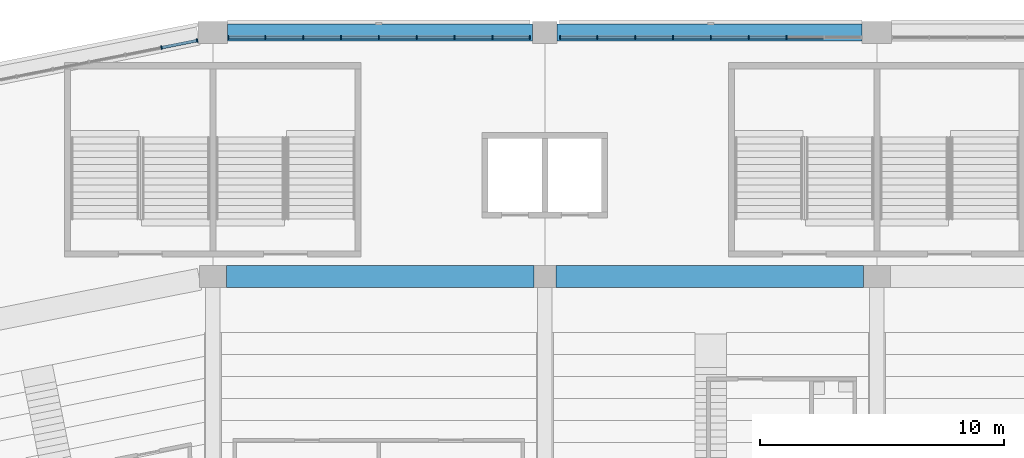
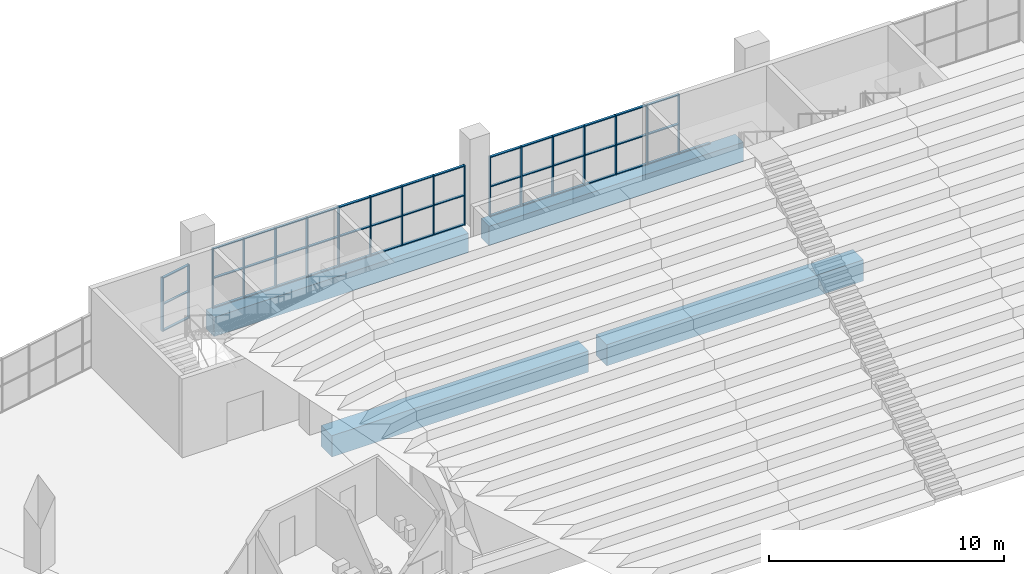
# One storey, part 50 of 249: 64 members, 4 beams, 3 elements without a shape of their own.
"""IFC4 building model written with IfcOpenShell, lengths in metres."""

from ifc_helpers import new_model, si_unit, direction, frame, origin, origin_2d, place, context, subcontext, project, spatial, rectangle, extrude, material, material_profile, profile_set, type_object, element, aggregate, save


model = new_model("IFC4")

# Units and contexts
model_context = context("Model", 3, precision=1e-05, world=origin(), true_north=direction((0.0, 1.0)))
body_context = subcontext(model_context, "Body", "Model", "MODEL_VIEW")
ifc_project = project(units=[si_unit("LENGTHUNIT", "METRE"), si_unit("AREAUNIT", "SQUARE_METRE"), si_unit("VOLUMEUNIT", "CUBIC_METRE"), si_unit("PLANEANGLEUNIT", "RADIAN"), si_unit("MASSUNIT", "GRAM", prefix="KILO")], contexts=[model_context])

# Site, building, storey
site_placement = place(None, origin())
site = spatial("IfcSite", under=ifc_project, at=site_placement, CompositionType="ELEMENT")
building_placement = place(site_placement, origin())
building = spatial("IfcBuilding", under=site, at=building_placement, Name="Ogive Plaza Stadium", CompositionType="ELEMENT")
storey_placement = place(building_placement, frame((0.0, 0.0, 13.5)))
storey = spatial("IfcBuildingStorey", under=building, at=storey_placement, Name="L03", CompositionType="ELEMENT", Elevation=13.5)

# Curtain wall, members
ifc_material_1 = material(Name="Bronze-anodised aluminium with laminated glass", Category="aluminium")
curtain_wall_type = type_object("IfcCurtainWallType", Name="Lancet curtain wall", PredefinedType="NOTDEFINED", material=ifc_material_1)
curtain_wall_1_placement = place(storey_placement, origin())
curtain_wall_1 = element("IfcCurtainWall", 1, at=curtain_wall_1_placement, inside=storey, type_object=curtain_wall_type, Name="CURTAIN WALL B31 L03", PredefinedType="NOTDEFINED")
ifc_material_2 = material(Name="Bronze-anodised aluminium", Category="aluminium")
ifc_material_profile_1 = material_profile(ifc_material_2, rectangle(XDim=0.14990234375, YDim=0.050048828125, at=origin_2d()), Name="AL 150x50")
ifc_profile_set_1 = profile_set([ifc_material_profile_1], Name="Bronze-anodised aluminium")
member_type_1 = type_object("IfcMemberType", Name="Curtain wall mullion 50x150", PredefinedType="MULLION", material=ifc_profile_set_1)
member_1_placement = place(storey_placement, frame((-36.104248046875, 101.87744140625, 0.0), z_axis=(0.0, 0.0, 1.0), x_axis=(-0.195090322016, 0.980785280403, 0.0)))
member_1 = element("IfcMember", 2, at=member_1_placement, type_object=member_type_1, Name="CW-B31-L03 mullion 12", PredefinedType="MULLION", context=body_context, shape_type="SweptSolid", body=[
    extrude(rectangle(XDim=0.14990234375, YDim=0.050048828125, at=origin_2d()), origin(), (0.0, 0.0, 1.0), 2.7900390625),
])
member_2_placement = place(storey_placement, frame((-34.64404296875, 102.16796875, 0.0), z_axis=(0.0, 0.0, 1.0), x_axis=(-0.195090322016, 0.980785280403, 0.0)))
member_2 = element("IfcMember", 3, at=member_2_placement, type_object=member_type_1, Name="CW-B31-L03 mullion 13", PredefinedType="MULLION", context=body_context, shape_type="SweptSolid", body=[
    extrude(rectangle(XDim=0.14990234375, YDim=0.050048828125, at=origin_2d()), origin(), (0.0, 0.0, 1.0), 2.7900390625),
])

curtain_wall_2_placement = place(storey_placement, origin())
curtain_wall_2 = element("IfcCurtainWall", 4, at=curtain_wall_2_placement, inside=storey, type_object=curtain_wall_type, Name="CURTAIN WALL B32 L03", PredefinedType="NOTDEFINED")
member_3_placement = place(storey_placement, frame((-33.375, 102.300048828125, 0.0), z_axis=(0.0, 0.0, 1.0), x_axis=(0.0, 1.0, 0.0)))
member_3 = element("IfcMember", 5, at=member_3_placement, type_object=member_type_1, Name="CW-B32-L03 mullion 1", PredefinedType="MULLION", context=body_context, shape_type="SweptSolid", body=[
    extrude(rectangle(XDim=0.14990234375, YDim=0.050048828125, at=origin_2d()), origin(), (0.0, 0.0, 1.0), 3.090087890625),
])
member_4_placement = place(storey_placement, frame((-31.85009765625, 102.300048828125, 0.0), z_axis=(0.0, 0.0, 1.0), x_axis=(0.0, 1.0, 0.0)))
member_4 = element("IfcMember", 6, at=member_4_placement, type_object=member_type_1, Name="CW-B32-L03 mullion 2", PredefinedType="MULLION", context=body_context, shape_type="SweptSolid", body=[
    extrude(rectangle(XDim=0.14990234375, YDim=0.050048828125, at=origin_2d()), origin(), (0.0, 0.0, 1.0), 3.090087890625),
])
member_5_placement = place(storey_placement, frame((-30.300048828125, 102.300048828125, 0.0), z_axis=(0.0, 0.0, 1.0), x_axis=(0.0, 1.0, 0.0)))
member_5 = element("IfcMember", 7, at=member_5_placement, type_object=member_type_1, Name="CW-B32-L03 mullion 3", PredefinedType="MULLION", context=body_context, shape_type="SweptSolid", body=[
    extrude(rectangle(XDim=0.14990234375, YDim=0.050048828125, at=origin_2d()), origin(), (0.0, 0.0, 1.0), 3.090087890625),
])
member_6_placement = place(storey_placement, frame((-28.75, 102.300048828125, 0.0), z_axis=(0.0, 0.0, 1.0), x_axis=(0.0, 1.0, 0.0)))
member_6 = element("IfcMember", 8, at=member_6_placement, type_object=member_type_1, Name="CW-B32-L03 mullion 4", PredefinedType="MULLION", context=body_context, shape_type="SweptSolid", body=[
    extrude(rectangle(XDim=0.14990234375, YDim=0.050048828125, at=origin_2d()), origin(), (0.0, 0.0, 1.0), 3.090087890625),
])
member_7_placement = place(storey_placement, frame((-27.199951171875, 102.300048828125, 0.0), z_axis=(0.0, 0.0, 1.0), x_axis=(0.0, 1.0, 0.0)))
member_7 = element("IfcMember", 9, at=member_7_placement, type_object=member_type_1, Name="CW-B32-L03 mullion 5", PredefinedType="MULLION", context=body_context, shape_type="SweptSolid", body=[
    extrude(rectangle(XDim=0.14990234375, YDim=0.050048828125, at=origin_2d()), origin(), (0.0, 0.0, 1.0), 3.090087890625),
])
member_8_placement = place(storey_placement, frame((-25.64990234375, 102.300048828125, 0.0), z_axis=(0.0, 0.0, 1.0), x_axis=(0.0, 1.0, 0.0)))
member_8 = element("IfcMember", 10, at=member_8_placement, type_object=member_type_1, Name="CW-B32-L03 mullion 6", PredefinedType="MULLION", context=body_context, shape_type="SweptSolid", body=[
    extrude(rectangle(XDim=0.14990234375, YDim=0.050048828125, at=origin_2d()), origin(), (0.0, 0.0, 1.0), 3.090087890625),
])
member_9_placement = place(storey_placement, frame((-24.10009765625, 102.300048828125, 0.0), z_axis=(0.0, 0.0, 1.0), x_axis=(0.0, 1.0, 0.0)))
member_9 = element("IfcMember", 11, at=member_9_placement, type_object=member_type_1, Name="CW-B32-L03 mullion 7", PredefinedType="MULLION", context=body_context, shape_type="SweptSolid", body=[
    extrude(rectangle(XDim=0.14990234375, YDim=0.050048828125, at=origin_2d()), origin(), (0.0, 0.0, 1.0), 3.090087890625),
])
member_10_placement = place(storey_placement, frame((-22.550048828125, 102.300048828125, 0.0), z_axis=(0.0, 0.0, 1.0), x_axis=(0.0, 1.0, 0.0)))
member_10 = element("IfcMember", 12, at=member_10_placement, type_object=member_type_1, Name="CW-B32-L03 mullion 8", PredefinedType="MULLION", context=body_context, shape_type="SweptSolid", body=[
    extrude(rectangle(XDim=0.14990234375, YDim=0.050048828125, at=origin_2d()), origin(), (0.0, 0.0, 1.0), 3.090087890625),
])
member_11_placement = place(storey_placement, frame((-21.02490234375, 102.300048828125, 0.0), z_axis=(0.0, 0.0, 1.0), x_axis=(0.0, 1.0, 0.0)))
member_11 = element("IfcMember", 13, at=member_11_placement, type_object=member_type_1, Name="CW-B32-L03 mullion 9", PredefinedType="MULLION", context=body_context, shape_type="SweptSolid", body=[
    extrude(rectangle(XDim=0.14990234375, YDim=0.050048828125, at=origin_2d()), origin(), (0.0, 0.0, 1.0), 3.090087890625),
])

curtain_wall_3_placement = place(storey_placement, origin())
curtain_wall_3 = element("IfcCurtainWall", 14, at=curtain_wall_3_placement, inside=storey, type_object=curtain_wall_type, Name="CURTAIN WALL B33 L03", PredefinedType="NOTDEFINED")
member_12_placement = place(storey_placement, frame((-19.77490234375, 102.300048828125, 0.0), z_axis=(0.0, 0.0, 1.0), x_axis=(0.0, 1.0, 0.0)))
member_12 = element("IfcMember", 15, at=member_12_placement, type_object=member_type_1, Name="CW-B33-L03 mullion 1", PredefinedType="MULLION", context=body_context, shape_type="SweptSolid", body=[
    extrude(rectangle(XDim=0.14990234375, YDim=0.050048828125, at=origin_2d()), origin(), (0.0, 0.0, 1.0), 3.090087890625),
])
member_13_placement = place(storey_placement, frame((-18.25, 102.300048828125, 0.0), z_axis=(0.0, 0.0, 1.0), x_axis=(0.0, 1.0, 0.0)))
member_13 = element("IfcMember", 16, at=member_13_placement, type_object=member_type_1, Name="CW-B33-L03 mullion 2", PredefinedType="MULLION", context=body_context, shape_type="SweptSolid", body=[
    extrude(rectangle(XDim=0.14990234375, YDim=0.050048828125, at=origin_2d()), origin(), (0.0, 0.0, 1.0), 3.090087890625),
])
member_14_placement = place(storey_placement, frame((-16.699951171875, 102.300048828125, 0.0), z_axis=(0.0, 0.0, 1.0), x_axis=(0.0, 1.0, 0.0)))
member_14 = element("IfcMember", 17, at=member_14_placement, type_object=member_type_1, Name="CW-B33-L03 mullion 3", PredefinedType="MULLION", context=body_context, shape_type="SweptSolid", body=[
    extrude(rectangle(XDim=0.14990234375, YDim=0.050048828125, at=origin_2d()), origin(), (0.0, 0.0, 1.0), 3.090087890625),
])
member_15_placement = place(storey_placement, frame((-15.14990234375, 102.300048828125, 0.0), z_axis=(0.0, 0.0, 1.0), x_axis=(0.0, 1.0, 0.0)))
member_15 = element("IfcMember", 18, at=member_15_placement, type_object=member_type_1, Name="CW-B33-L03 mullion 4", PredefinedType="MULLION", context=body_context, shape_type="SweptSolid", body=[
    extrude(rectangle(XDim=0.14990234375, YDim=0.050048828125, at=origin_2d()), origin(), (0.0, 0.0, 1.0), 3.090087890625),
])
member_16_placement = place(storey_placement, frame((-13.60009765625, 102.300048828125, 0.0), z_axis=(0.0, 0.0, 1.0), x_axis=(0.0, 1.0, 0.0)))
member_16 = element("IfcMember", 19, at=member_16_placement, type_object=member_type_1, Name="CW-B33-L03 mullion 5", PredefinedType="MULLION", context=body_context, shape_type="SweptSolid", body=[
    extrude(rectangle(XDim=0.14990234375, YDim=0.050048828125, at=origin_2d()), origin(), (0.0, 0.0, 1.0), 3.090087890625),
])
member_17_placement = place(storey_placement, frame((-12.050048828125, 102.300048828125, 0.0), z_axis=(0.0, 0.0, 1.0), x_axis=(0.0, 1.0, 0.0)))
member_17 = element("IfcMember", 20, at=member_17_placement, type_object=member_type_1, Name="CW-B33-L03 mullion 6", PredefinedType="MULLION", context=body_context, shape_type="SweptSolid", body=[
    extrude(rectangle(XDim=0.14990234375, YDim=0.050048828125, at=origin_2d()), origin(), (0.0, 0.0, 1.0), 3.090087890625),
])
member_18_placement = place(storey_placement, frame((-10.5, 102.300048828125, 0.0), z_axis=(0.0, 0.0, 1.0), x_axis=(0.0, 1.0, 0.0)))
member_18 = element("IfcMember", 21, at=member_18_placement, type_object=member_type_1, Name="CW-B33-L03 mullion 7", PredefinedType="MULLION", context=body_context, shape_type="SweptSolid", body=[
    extrude(rectangle(XDim=0.14990234375, YDim=0.050048828125, at=origin_2d()), origin(), (0.0, 0.0, 1.0), 3.090087890625),
])

# Member
ifc_material_3 = material(Name="Bronze-anodised aluminium", Category="aluminium")
ifc_material_profile_2 = material_profile(ifc_material_3, rectangle(XDim=0.1201171875, YDim=0.050048828125, at=origin_2d()), Name="AL 120x50")
ifc_profile_set_2 = profile_set([ifc_material_profile_2], Name="Bronze-anodised aluminium")
member_type_2 = type_object("IfcMemberType", Name="Curtain wall transom 50x120", PredefinedType="USERDEFINED", material=ifc_profile_set_2)
member_19_placement = place(storey_placement, frame((-36.079833984375, 101.88232421875, 0.02490234375), z_axis=(0.980782436465, 0.195104618913, 0.0), x_axis=(-0.195104618913, 0.980782436465, 0.0)))
member_19 = element("IfcMember", 22, at=member_19_placement, type_object=member_type_2, Name="CW-B31-L03 transom 12.1", ObjectType="TRANSOM", PredefinedType="USERDEFINED", context=body_context, shape_type="SweptSolid", body=[
    extrude(rectangle(XDim=0.1201171875, YDim=0.050048828125, at=origin_2d()), origin(), (0.0, 0.0, 1.0), 1.43896484375),
])

member_20_placement = place(storey_placement, frame((-36.079833984375, 101.88232421875, 1.39501953125), z_axis=(0.980782436465, 0.195104618913, 0.0), x_axis=(-0.195104618913, 0.980782436465, 0.0)))
member_20 = element("IfcMember", 23, at=member_20_placement, type_object=member_type_2, Name="CW-B31-L03 transom 12.2", ObjectType="TRANSOM", PredefinedType="USERDEFINED", context=body_context, shape_type="SweptSolid", body=[
    extrude(rectangle(XDim=0.1201171875, YDim=0.050048828125, at=origin_2d()), origin(), (0.0, 0.0, 1.0), 1.43896484375),
])

member_21_placement = place(storey_placement, frame((-36.079833984375, 101.88232421875, 2.764892578125), z_axis=(0.980782436465, 0.195104618913, 0.0), x_axis=(-0.195104618913, 0.980782436465, 0.0)))
member_21 = element("IfcMember", 24, at=member_21_placement, type_object=member_type_2, Name="CW-B31-L03 transom 12.3", ObjectType="TRANSOM", PredefinedType="USERDEFINED", context=body_context, shape_type="SweptSolid", body=[
    extrude(rectangle(XDim=0.1201171875, YDim=0.050048828125, at=origin_2d()), origin(), (0.0, 0.0, 1.0), 1.43896484375),
])

aggregate(curtain_wall_1, [member_1, member_2, member_19, member_20, member_21])

member_22_placement = place(storey_placement, frame((-33.35009765625, 102.300048828125, 0.02490234375), z_axis=(1.0, 0.0, 0.0), x_axis=(0.0, 1.0, 0.0)))
member_22 = element("IfcMember", 25, at=member_22_placement, type_object=member_type_2, Name="CW-B32-L03 transom 1.1", ObjectType="TRANSOM", PredefinedType="USERDEFINED", context=body_context, shape_type="SweptSolid", body=[
    extrude(rectangle(XDim=0.1201171875, YDim=0.050048828125, at=origin_2d()), origin(), (0.0, 0.0, 1.0), 1.47509765625),
])

member_23_placement = place(storey_placement, frame((-33.35009765625, 102.300048828125, 1.544921875), z_axis=(1.0, 0.0, 0.0), x_axis=(0.0, 1.0, 0.0)))
member_23 = element("IfcMember", 26, at=member_23_placement, type_object=member_type_2, Name="CW-B32-L03 transom 1.2", ObjectType="TRANSOM", PredefinedType="USERDEFINED", context=body_context, shape_type="SweptSolid", body=[
    extrude(rectangle(XDim=0.1201171875, YDim=0.050048828125, at=origin_2d()), origin(), (0.0, 0.0, 1.0), 1.47509765625),
])

member_24_placement = place(storey_placement, frame((-33.35009765625, 102.300048828125, 3.06494140625), z_axis=(1.0, 0.0, 0.0), x_axis=(0.0, 1.0, 0.0)))
member_24 = element("IfcMember", 27, at=member_24_placement, type_object=member_type_2, Name="CW-B32-L03 transom 1.3", ObjectType="TRANSOM", PredefinedType="USERDEFINED", context=body_context, shape_type="SweptSolid", body=[
    extrude(rectangle(XDim=0.1201171875, YDim=0.050048828125, at=origin_2d()), origin(), (0.0, 0.0, 1.0), 1.47509765625),
])

member_25_placement = place(storey_placement, frame((-31.824951171875, 102.300048828125, 0.02490234375), z_axis=(1.0, 0.0, 0.0), x_axis=(0.0, 1.0, 0.0)))
member_25 = element("IfcMember", 28, at=member_25_placement, type_object=member_type_2, Name="CW-B32-L03 transom 2.1", ObjectType="TRANSOM", PredefinedType="USERDEFINED", context=body_context, shape_type="SweptSolid", body=[
    extrude(rectangle(XDim=0.1201171875, YDim=0.050048828125, at=origin_2d()), origin(), (0.0, 0.0, 1.0), 1.5),
])

member_26_placement = place(storey_placement, frame((-31.824951171875, 102.300048828125, 1.544921875), z_axis=(1.0, 0.0, 0.0), x_axis=(0.0, 1.0, 0.0)))
member_26 = element("IfcMember", 29, at=member_26_placement, type_object=member_type_2, Name="CW-B32-L03 transom 2.2", ObjectType="TRANSOM", PredefinedType="USERDEFINED", context=body_context, shape_type="SweptSolid", body=[
    extrude(rectangle(XDim=0.1201171875, YDim=0.050048828125, at=origin_2d()), origin(), (0.0, 0.0, 1.0), 1.5),
])

member_27_placement = place(storey_placement, frame((-31.824951171875, 102.300048828125, 3.06494140625), z_axis=(1.0, 0.0, 0.0), x_axis=(0.0, 1.0, 0.0)))
member_27 = element("IfcMember", 30, at=member_27_placement, type_object=member_type_2, Name="CW-B32-L03 transom 2.3", ObjectType="TRANSOM", PredefinedType="USERDEFINED", context=body_context, shape_type="SweptSolid", body=[
    extrude(rectangle(XDim=0.1201171875, YDim=0.050048828125, at=origin_2d()), origin(), (0.0, 0.0, 1.0), 1.5),
])

member_28_placement = place(storey_placement, frame((-30.27490234375, 102.300048828125, 0.02490234375), z_axis=(1.0, 0.0, 0.0), x_axis=(0.0, 1.0, 0.0)))
member_28 = element("IfcMember", 31, at=member_28_placement, type_object=member_type_2, Name="CW-B32-L03 transom 3.1", ObjectType="TRANSOM", PredefinedType="USERDEFINED", context=body_context, shape_type="SweptSolid", body=[
    extrude(rectangle(XDim=0.1201171875, YDim=0.050048828125, at=origin_2d()), origin(), (0.0, 0.0, 1.0), 1.5),
])

member_29_placement = place(storey_placement, frame((-30.27490234375, 102.300048828125, 1.544921875), z_axis=(1.0, 0.0, 0.0), x_axis=(0.0, 1.0, 0.0)))
member_29 = element("IfcMember", 32, at=member_29_placement, type_object=member_type_2, Name="CW-B32-L03 transom 3.2", ObjectType="TRANSOM", PredefinedType="USERDEFINED", context=body_context, shape_type="SweptSolid", body=[
    extrude(rectangle(XDim=0.1201171875, YDim=0.050048828125, at=origin_2d()), origin(), (0.0, 0.0, 1.0), 1.5),
])

member_30_placement = place(storey_placement, frame((-30.27490234375, 102.300048828125, 3.06494140625), z_axis=(1.0, 0.0, 0.0), x_axis=(0.0, 1.0, 0.0)))
member_30 = element("IfcMember", 33, at=member_30_placement, type_object=member_type_2, Name="CW-B32-L03 transom 3.3", ObjectType="TRANSOM", PredefinedType="USERDEFINED", context=body_context, shape_type="SweptSolid", body=[
    extrude(rectangle(XDim=0.1201171875, YDim=0.050048828125, at=origin_2d()), origin(), (0.0, 0.0, 1.0), 1.5),
])

member_31_placement = place(storey_placement, frame((-28.72509765625, 102.300048828125, 0.02490234375), z_axis=(1.0, 0.0, 0.0), x_axis=(0.0, 1.0, 0.0)))
member_31 = element("IfcMember", 34, at=member_31_placement, type_object=member_type_2, Name="CW-B32-L03 transom 4.1", ObjectType="TRANSOM", PredefinedType="USERDEFINED", context=body_context, shape_type="SweptSolid", body=[
    extrude(rectangle(XDim=0.1201171875, YDim=0.050048828125, at=origin_2d()), origin(), (0.0, 0.0, 1.0), 1.5),
])

member_32_placement = place(storey_placement, frame((-28.72509765625, 102.300048828125, 1.544921875), z_axis=(1.0, 0.0, 0.0), x_axis=(0.0, 1.0, 0.0)))
member_32 = element("IfcMember", 35, at=member_32_placement, type_object=member_type_2, Name="CW-B32-L03 transom 4.2", ObjectType="TRANSOM", PredefinedType="USERDEFINED", context=body_context, shape_type="SweptSolid", body=[
    extrude(rectangle(XDim=0.1201171875, YDim=0.050048828125, at=origin_2d()), origin(), (0.0, 0.0, 1.0), 1.5),
])

member_33_placement = place(storey_placement, frame((-28.72509765625, 102.300048828125, 3.06494140625), z_axis=(1.0, 0.0, 0.0), x_axis=(0.0, 1.0, 0.0)))
member_33 = element("IfcMember", 36, at=member_33_placement, type_object=member_type_2, Name="CW-B32-L03 transom 4.3", ObjectType="TRANSOM", PredefinedType="USERDEFINED", context=body_context, shape_type="SweptSolid", body=[
    extrude(rectangle(XDim=0.1201171875, YDim=0.050048828125, at=origin_2d()), origin(), (0.0, 0.0, 1.0), 1.5),
])

member_34_placement = place(storey_placement, frame((-27.175048828125, 102.300048828125, 0.02490234375), z_axis=(1.0, 0.0, 0.0), x_axis=(0.0, 1.0, 0.0)))
member_34 = element("IfcMember", 37, at=member_34_placement, type_object=member_type_2, Name="CW-B32-L03 transom 5.1", ObjectType="TRANSOM", PredefinedType="USERDEFINED", context=body_context, shape_type="SweptSolid", body=[
    extrude(rectangle(XDim=0.1201171875, YDim=0.050048828125, at=origin_2d()), origin(), (0.0, 0.0, 1.0), 1.5),
])

member_35_placement = place(storey_placement, frame((-27.175048828125, 102.300048828125, 1.544921875), z_axis=(1.0, 0.0, 0.0), x_axis=(0.0, 1.0, 0.0)))
member_35 = element("IfcMember", 38, at=member_35_placement, type_object=member_type_2, Name="CW-B32-L03 transom 5.2", ObjectType="TRANSOM", PredefinedType="USERDEFINED", context=body_context, shape_type="SweptSolid", body=[
    extrude(rectangle(XDim=0.1201171875, YDim=0.050048828125, at=origin_2d()), origin(), (0.0, 0.0, 1.0), 1.5),
])

member_36_placement = place(storey_placement, frame((-27.175048828125, 102.300048828125, 3.06494140625), z_axis=(1.0, 0.0, 0.0), x_axis=(0.0, 1.0, 0.0)))
member_36 = element("IfcMember", 39, at=member_36_placement, type_object=member_type_2, Name="CW-B32-L03 transom 5.3", ObjectType="TRANSOM", PredefinedType="USERDEFINED", context=body_context, shape_type="SweptSolid", body=[
    extrude(rectangle(XDim=0.1201171875, YDim=0.050048828125, at=origin_2d()), origin(), (0.0, 0.0, 1.0), 1.5),
])

member_37_placement = place(storey_placement, frame((-25.625, 102.300048828125, 0.02490234375), z_axis=(1.0, 0.0, 0.0), x_axis=(0.0, 1.0, 0.0)))
member_37 = element("IfcMember", 40, at=member_37_placement, type_object=member_type_2, Name="CW-B32-L03 transom 6.1", ObjectType="TRANSOM", PredefinedType="USERDEFINED", context=body_context, shape_type="SweptSolid", body=[
    extrude(rectangle(XDim=0.1201171875, YDim=0.050048828125, at=origin_2d()), origin(), (0.0, 0.0, 1.0), 1.5),
])

member_38_placement = place(storey_placement, frame((-25.625, 102.300048828125, 1.544921875), z_axis=(1.0, 0.0, 0.0), x_axis=(0.0, 1.0, 0.0)))
member_38 = element("IfcMember", 41, at=member_38_placement, type_object=member_type_2, Name="CW-B32-L03 transom 6.2", ObjectType="TRANSOM", PredefinedType="USERDEFINED", context=body_context, shape_type="SweptSolid", body=[
    extrude(rectangle(XDim=0.1201171875, YDim=0.050048828125, at=origin_2d()), origin(), (0.0, 0.0, 1.0), 1.5),
])

member_39_placement = place(storey_placement, frame((-25.625, 102.300048828125, 3.06494140625), z_axis=(1.0, 0.0, 0.0), x_axis=(0.0, 1.0, 0.0)))
member_39 = element("IfcMember", 42, at=member_39_placement, type_object=member_type_2, Name="CW-B32-L03 transom 6.3", ObjectType="TRANSOM", PredefinedType="USERDEFINED", context=body_context, shape_type="SweptSolid", body=[
    extrude(rectangle(XDim=0.1201171875, YDim=0.050048828125, at=origin_2d()), origin(), (0.0, 0.0, 1.0), 1.5),
])

member_40_placement = place(storey_placement, frame((-24.074951171875, 102.300048828125, 0.02490234375), z_axis=(1.0, 0.0, 0.0), x_axis=(0.0, 1.0, 0.0)))
member_40 = element("IfcMember", 43, at=member_40_placement, type_object=member_type_2, Name="CW-B32-L03 transom 7.1", ObjectType="TRANSOM", PredefinedType="USERDEFINED", context=body_context, shape_type="SweptSolid", body=[
    extrude(rectangle(XDim=0.1201171875, YDim=0.050048828125, at=origin_2d()), origin(), (0.0, 0.0, 1.0), 1.5),
])

member_41_placement = place(storey_placement, frame((-24.074951171875, 102.300048828125, 1.544921875), z_axis=(1.0, 0.0, 0.0), x_axis=(0.0, 1.0, 0.0)))
member_41 = element("IfcMember", 44, at=member_41_placement, type_object=member_type_2, Name="CW-B32-L03 transom 7.2", ObjectType="TRANSOM", PredefinedType="USERDEFINED", context=body_context, shape_type="SweptSolid", body=[
    extrude(rectangle(XDim=0.1201171875, YDim=0.050048828125, at=origin_2d()), origin(), (0.0, 0.0, 1.0), 1.5),
])

member_42_placement = place(storey_placement, frame((-24.074951171875, 102.300048828125, 3.06494140625), z_axis=(1.0, 0.0, 0.0), x_axis=(0.0, 1.0, 0.0)))
member_42 = element("IfcMember", 45, at=member_42_placement, type_object=member_type_2, Name="CW-B32-L03 transom 7.3", ObjectType="TRANSOM", PredefinedType="USERDEFINED", context=body_context, shape_type="SweptSolid", body=[
    extrude(rectangle(XDim=0.1201171875, YDim=0.050048828125, at=origin_2d()), origin(), (0.0, 0.0, 1.0), 1.5),
])

member_43_placement = place(storey_placement, frame((-22.52490234375, 102.300048828125, 0.02490234375), z_axis=(1.0, 0.0, 0.0), x_axis=(0.0, 1.0, 0.0)))
member_43 = element("IfcMember", 46, at=member_43_placement, type_object=member_type_2, Name="CW-B32-L03 transom 8.1", ObjectType="TRANSOM", PredefinedType="USERDEFINED", context=body_context, shape_type="SweptSolid", body=[
    extrude(rectangle(XDim=0.1201171875, YDim=0.050048828125, at=origin_2d()), origin(), (0.0, 0.0, 1.0), 1.474853515625),
])

member_44_placement = place(storey_placement, frame((-22.52490234375, 102.300048828125, 1.544921875), z_axis=(1.0, 0.0, 0.0), x_axis=(0.0, 1.0, 0.0)))
member_44 = element("IfcMember", 47, at=member_44_placement, type_object=member_type_2, Name="CW-B32-L03 transom 8.2", ObjectType="TRANSOM", PredefinedType="USERDEFINED", context=body_context, shape_type="SweptSolid", body=[
    extrude(rectangle(XDim=0.1201171875, YDim=0.050048828125, at=origin_2d()), origin(), (0.0, 0.0, 1.0), 1.474853515625),
])

member_45_placement = place(storey_placement, frame((-22.52490234375, 102.300048828125, 3.06494140625), z_axis=(1.0, 0.0, 0.0), x_axis=(0.0, 1.0, 0.0)))
member_45 = element("IfcMember", 48, at=member_45_placement, type_object=member_type_2, Name="CW-B32-L03 transom 8.3", ObjectType="TRANSOM", PredefinedType="USERDEFINED", context=body_context, shape_type="SweptSolid", body=[
    extrude(rectangle(XDim=0.1201171875, YDim=0.050048828125, at=origin_2d()), origin(), (0.0, 0.0, 1.0), 1.474853515625),
])

aggregate(curtain_wall_2, [member_3, member_4, member_5, member_6, member_7, member_8, member_9, member_10, member_11, member_22, member_23, member_24, member_25, member_26, member_27, member_28, member_29, member_30, member_31, member_32, member_33, member_34, member_35, member_36, member_37, member_38, member_39, member_40, member_41, member_42, member_43, member_44, member_45])

member_46_placement = place(storey_placement, frame((-19.75, 102.300048828125, 0.02490234375), z_axis=(1.0, 0.0, 0.0), x_axis=(0.0, 1.0, 0.0)))
member_46 = element("IfcMember", 49, at=member_46_placement, type_object=member_type_2, Name="CW-B33-L03 transom 1.1", ObjectType="TRANSOM", PredefinedType="USERDEFINED", context=body_context, shape_type="SweptSolid", body=[
    extrude(rectangle(XDim=0.1201171875, YDim=0.050048828125, at=origin_2d()), origin(), (0.0, 0.0, 1.0), 1.47509765625),
])

member_47_placement = place(storey_placement, frame((-19.75, 102.300048828125, 1.544921875), z_axis=(1.0, 0.0, 0.0), x_axis=(0.0, 1.0, 0.0)))
member_47 = element("IfcMember", 50, at=member_47_placement, type_object=member_type_2, Name="CW-B33-L03 transom 1.2", ObjectType="TRANSOM", PredefinedType="USERDEFINED", context=body_context, shape_type="SweptSolid", body=[
    extrude(rectangle(XDim=0.1201171875, YDim=0.050048828125, at=origin_2d()), origin(), (0.0, 0.0, 1.0), 1.47509765625),
])

member_48_placement = place(storey_placement, frame((-19.75, 102.300048828125, 3.06494140625), z_axis=(1.0, 0.0, 0.0), x_axis=(0.0, 1.0, 0.0)))
member_48 = element("IfcMember", 51, at=member_48_placement, type_object=member_type_2, Name="CW-B33-L03 transom 1.3", ObjectType="TRANSOM", PredefinedType="USERDEFINED", context=body_context, shape_type="SweptSolid", body=[
    extrude(rectangle(XDim=0.1201171875, YDim=0.050048828125, at=origin_2d()), origin(), (0.0, 0.0, 1.0), 1.47509765625),
])

member_49_placement = place(storey_placement, frame((-18.22509765625, 102.300048828125, 0.02490234375), z_axis=(1.0, 0.0, 0.0), x_axis=(0.0, 1.0, 0.0)))
member_49 = element("IfcMember", 52, at=member_49_placement, type_object=member_type_2, Name="CW-B33-L03 transom 2.1", ObjectType="TRANSOM", PredefinedType="USERDEFINED", context=body_context, shape_type="SweptSolid", body=[
    extrude(rectangle(XDim=0.1201171875, YDim=0.050048828125, at=origin_2d()), origin(), (0.0, 0.0, 1.0), 1.5),
])

member_50_placement = place(storey_placement, frame((-18.22509765625, 102.300048828125, 1.544921875), z_axis=(1.0, 0.0, 0.0), x_axis=(0.0, 1.0, 0.0)))
member_50 = element("IfcMember", 53, at=member_50_placement, type_object=member_type_2, Name="CW-B33-L03 transom 2.2", ObjectType="TRANSOM", PredefinedType="USERDEFINED", context=body_context, shape_type="SweptSolid", body=[
    extrude(rectangle(XDim=0.1201171875, YDim=0.050048828125, at=origin_2d()), origin(), (0.0, 0.0, 1.0), 1.5),
])

member_51_placement = place(storey_placement, frame((-18.22509765625, 102.300048828125, 3.06494140625), z_axis=(1.0, 0.0, 0.0), x_axis=(0.0, 1.0, 0.0)))
member_51 = element("IfcMember", 54, at=member_51_placement, type_object=member_type_2, Name="CW-B33-L03 transom 2.3", ObjectType="TRANSOM", PredefinedType="USERDEFINED", context=body_context, shape_type="SweptSolid", body=[
    extrude(rectangle(XDim=0.1201171875, YDim=0.050048828125, at=origin_2d()), origin(), (0.0, 0.0, 1.0), 1.5),
])

member_52_placement = place(storey_placement, frame((-16.675048828125, 102.300048828125, 0.02490234375), z_axis=(1.0, 0.0, 0.0), x_axis=(0.0, 1.0, 0.0)))
member_52 = element("IfcMember", 55, at=member_52_placement, type_object=member_type_2, Name="CW-B33-L03 transom 3.1", ObjectType="TRANSOM", PredefinedType="USERDEFINED", context=body_context, shape_type="SweptSolid", body=[
    extrude(rectangle(XDim=0.1201171875, YDim=0.050048828125, at=origin_2d()), origin(), (0.0, 0.0, 1.0), 1.5),
])

member_53_placement = place(storey_placement, frame((-16.675048828125, 102.300048828125, 1.544921875), z_axis=(1.0, 0.0, 0.0), x_axis=(0.0, 1.0, 0.0)))
member_53 = element("IfcMember", 56, at=member_53_placement, type_object=member_type_2, Name="CW-B33-L03 transom 3.2", ObjectType="TRANSOM", PredefinedType="USERDEFINED", context=body_context, shape_type="SweptSolid", body=[
    extrude(rectangle(XDim=0.1201171875, YDim=0.050048828125, at=origin_2d()), origin(), (0.0, 0.0, 1.0), 1.5),
])

member_54_placement = place(storey_placement, frame((-16.675048828125, 102.300048828125, 3.06494140625), z_axis=(1.0, 0.0, 0.0), x_axis=(0.0, 1.0, 0.0)))
member_54 = element("IfcMember", 57, at=member_54_placement, type_object=member_type_2, Name="CW-B33-L03 transom 3.3", ObjectType="TRANSOM", PredefinedType="USERDEFINED", context=body_context, shape_type="SweptSolid", body=[
    extrude(rectangle(XDim=0.1201171875, YDim=0.050048828125, at=origin_2d()), origin(), (0.0, 0.0, 1.0), 1.5),
])

member_55_placement = place(storey_placement, frame((-15.125, 102.300048828125, 0.02490234375), z_axis=(1.0, 0.0, 0.0), x_axis=(0.0, 1.0, 0.0)))
member_55 = element("IfcMember", 58, at=member_55_placement, type_object=member_type_2, Name="CW-B33-L03 transom 4.1", ObjectType="TRANSOM", PredefinedType="USERDEFINED", context=body_context, shape_type="SweptSolid", body=[
    extrude(rectangle(XDim=0.1201171875, YDim=0.050048828125, at=origin_2d()), origin(), (0.0, 0.0, 1.0), 1.5),
])

member_56_placement = place(storey_placement, frame((-15.125, 102.300048828125, 1.544921875), z_axis=(1.0, 0.0, 0.0), x_axis=(0.0, 1.0, 0.0)))
member_56 = element("IfcMember", 59, at=member_56_placement, type_object=member_type_2, Name="CW-B33-L03 transom 4.2", ObjectType="TRANSOM", PredefinedType="USERDEFINED", context=body_context, shape_type="SweptSolid", body=[
    extrude(rectangle(XDim=0.1201171875, YDim=0.050048828125, at=origin_2d()), origin(), (0.0, 0.0, 1.0), 1.5),
])

member_57_placement = place(storey_placement, frame((-15.125, 102.300048828125, 3.06494140625), z_axis=(1.0, 0.0, 0.0), x_axis=(0.0, 1.0, 0.0)))
member_57 = element("IfcMember", 60, at=member_57_placement, type_object=member_type_2, Name="CW-B33-L03 transom 4.3", ObjectType="TRANSOM", PredefinedType="USERDEFINED", context=body_context, shape_type="SweptSolid", body=[
    extrude(rectangle(XDim=0.1201171875, YDim=0.050048828125, at=origin_2d()), origin(), (0.0, 0.0, 1.0), 1.5),
])

member_58_placement = place(storey_placement, frame((-13.574951171875, 102.300048828125, 0.02490234375), z_axis=(1.0, 0.0, 0.0), x_axis=(0.0, 1.0, 0.0)))
member_58 = element("IfcMember", 61, at=member_58_placement, type_object=member_type_2, Name="CW-B33-L03 transom 5.1", ObjectType="TRANSOM", PredefinedType="USERDEFINED", context=body_context, shape_type="SweptSolid", body=[
    extrude(rectangle(XDim=0.1201171875, YDim=0.050048828125, at=origin_2d()), origin(), (0.0, 0.0, 1.0), 1.5),
])

member_59_placement = place(storey_placement, frame((-13.574951171875, 102.300048828125, 1.544921875), z_axis=(1.0, 0.0, 0.0), x_axis=(0.0, 1.0, 0.0)))
member_59 = element("IfcMember", 62, at=member_59_placement, type_object=member_type_2, Name="CW-B33-L03 transom 5.2", ObjectType="TRANSOM", PredefinedType="USERDEFINED", context=body_context, shape_type="SweptSolid", body=[
    extrude(rectangle(XDim=0.1201171875, YDim=0.050048828125, at=origin_2d()), origin(), (0.0, 0.0, 1.0), 1.5),
])

member_60_placement = place(storey_placement, frame((-13.574951171875, 102.300048828125, 3.06494140625), z_axis=(1.0, 0.0, 0.0), x_axis=(0.0, 1.0, 0.0)))
member_60 = element("IfcMember", 63, at=member_60_placement, type_object=member_type_2, Name="CW-B33-L03 transom 5.3", ObjectType="TRANSOM", PredefinedType="USERDEFINED", context=body_context, shape_type="SweptSolid", body=[
    extrude(rectangle(XDim=0.1201171875, YDim=0.050048828125, at=origin_2d()), origin(), (0.0, 0.0, 1.0), 1.5),
])

member_61_placement = place(storey_placement, frame((-12.02490234375, 102.300048828125, 0.02490234375), z_axis=(1.0, 0.0, 0.0), x_axis=(0.0, 1.0, 0.0)))
member_61 = element("IfcMember", 64, at=member_61_placement, type_object=member_type_2, Name="CW-B33-L03 transom 6.1", ObjectType="TRANSOM", PredefinedType="USERDEFINED", context=body_context, shape_type="SweptSolid", body=[
    extrude(rectangle(XDim=0.1201171875, YDim=0.050048828125, at=origin_2d()), origin(), (0.0, 0.0, 1.0), 1.5),
])

member_62_placement = place(storey_placement, frame((-12.02490234375, 102.300048828125, 1.544921875), z_axis=(1.0, 0.0, 0.0), x_axis=(0.0, 1.0, 0.0)))
member_62 = element("IfcMember", 65, at=member_62_placement, type_object=member_type_2, Name="CW-B33-L03 transom 6.2", ObjectType="TRANSOM", PredefinedType="USERDEFINED", context=body_context, shape_type="SweptSolid", body=[
    extrude(rectangle(XDim=0.1201171875, YDim=0.050048828125, at=origin_2d()), origin(), (0.0, 0.0, 1.0), 1.5),
])

member_63_placement = place(storey_placement, frame((-12.02490234375, 102.300048828125, 3.06494140625), z_axis=(1.0, 0.0, 0.0), x_axis=(0.0, 1.0, 0.0)))
member_63 = element("IfcMember", 66, at=member_63_placement, type_object=member_type_2, Name="CW-B33-L03 transom 6.3", ObjectType="TRANSOM", PredefinedType="USERDEFINED", context=body_context, shape_type="SweptSolid", body=[
    extrude(rectangle(XDim=0.1201171875, YDim=0.050048828125, at=origin_2d()), origin(), (0.0, 0.0, 1.0), 1.5),
])

member_64_placement = place(storey_placement, frame((-10.47509765625, 102.300048828125, 0.02490234375), z_axis=(1.0, 0.0, 0.0), x_axis=(0.0, 1.0, 0.0)))
member_64 = element("IfcMember", 67, at=member_64_placement, type_object=member_type_2, Name="CW-B33-L03 transom 7.1", ObjectType="TRANSOM", PredefinedType="USERDEFINED", context=body_context, shape_type="SweptSolid", body=[
    extrude(rectangle(XDim=0.1201171875, YDim=0.050048828125, at=origin_2d()), origin(), (0.0, 0.0, 1.0), 1.5),
])

aggregate(curtain_wall_3, [member_12, member_13, member_14, member_15, member_16, member_17, member_18, member_46, member_47, member_48, member_49, member_50, member_51, member_52, member_53, member_54, member_55, member_56, member_57, member_58, member_59, member_60, member_61, member_62, member_63, member_64])

# Beams
ifc_material_4 = material(Name="Concrete C40/50", Category="concrete")
ifc_material_profile_3 = material_profile(ifc_material_4, rectangle(XDim=0.89990234375, YDim=1.10009765625, at=origin_2d()), Name="RC 900x1100")
ifc_profile_set_3 = profile_set([ifc_material_profile_3], Name="Concrete C40/50")
beam_type_1 = type_object("IfcBeamType", Name="RC ring beam 900x1100", PredefinedType="BEAM", material=ifc_profile_set_3)
for number, where, z_axis, x_axis, name in (
    (68, (-33.449951171875, 92.5, -0.9599609375), (1.0, 0.0, 0.0), (0.0, 1.0, 0.0), "Ring beam F4 L03 B32"),
    (69, (-19.949951171875, 92.5, -0.9599609375), (1.0, 0.0, 0.0), (0.0, 1.0, 0.0), "Ring beam F4 L03 B33"),
):
    element("IfcBeam", number, at=place(storey_placement, frame(where, z_axis=z_axis, x_axis=x_axis)), inside=storey, type_object=beam_type_1, Name=name, PredefinedType="BEAM", context=body_context, shape_type="SweptSolid", body=[
        extrude(rectangle(XDim=0.89990234375, YDim=1.10009765625, at=origin_2d()), origin(), (0.0, 0.0, 1.0), 12.599853515625),
    ])
ifc_material_5 = material(Name="Concrete C40/50", Category="concrete")
ifc_material_profile_4 = material_profile(ifc_material_5, rectangle(XDim=0.699951171875, YDim=1.0, at=origin_2d()), Name="RC 700x1000")
ifc_profile_set_4 = profile_set([ifc_material_profile_4], Name="Concrete C40/50")
beam_type_2 = type_object("IfcBeamType", Name="RC spandrel beam 700x1000", PredefinedType="SPANDREL", material=ifc_profile_set_4)
for number, where, z_axis, x_axis, name in (
    (70, (-33.39990234375, 102.5, -0.909912109375), (1.0, 0.0, 0.0), (0.0, 1.0, 0.0), "Ring beam F5 L03 B32"),
    (71, (-19.89990234375, 102.5, -0.909912109375), (1.0, 0.0, 0.0), (0.0, 1.0, 0.0), "Ring beam F5 L03 B33"),
):
    element("IfcBeam", number, at=place(storey_placement, frame(where, z_axis=z_axis, x_axis=x_axis)), inside=storey, type_object=beam_type_2, Name=name, PredefinedType="SPANDREL", context=body_context, shape_type="SweptSolid", body=[
        extrude(rectangle(XDim=0.699951171875, YDim=1.0, at=origin_2d()), origin(), (0.0, 0.0, 1.0), 12.5),
    ])

save(model, "model.ifc")
